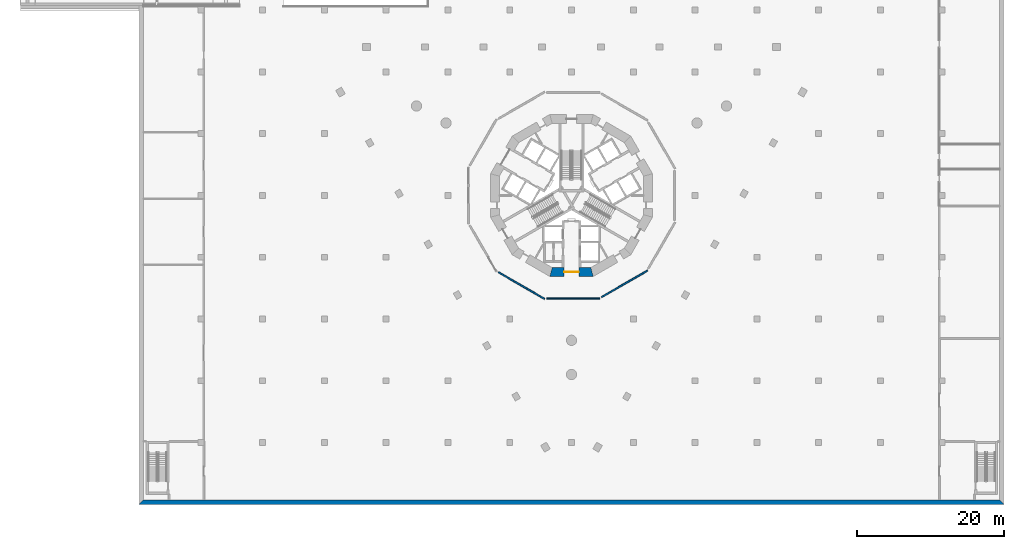
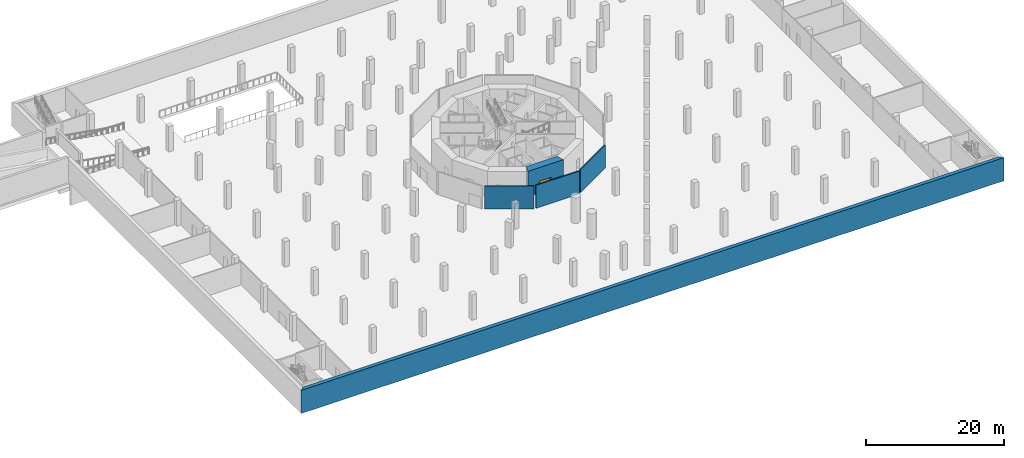
# One storey, part 4 of 21: 5 walls, 1 door, 1 opening.
"""IFC4 building model written with IfcOpenShell, lengths in metres."""

from ifc_helpers import new_model, si_unit, direction, frame, frame_2d, origin, place, context, subcontext, project, spatial, polyline, rectangle, outline, extrude, material, layer, layer_set, type_object, element, fill, save


model = new_model("IFC4")

# Units and contexts
model_context = context("Model", 3, precision=1e-05, world=origin(), true_north=direction((0.0, 1.0)))
body_context = subcontext(model_context, "Body", "Model", "MODEL_VIEW")
ifc_project = project(units=[si_unit("LENGTHUNIT", "METRE"), si_unit("AREAUNIT", "SQUARE_METRE"), si_unit("VOLUMEUNIT", "CUBIC_METRE"), si_unit("PLANEANGLEUNIT", "RADIAN"), si_unit("MASSUNIT", "GRAM", prefix="KILO")], contexts=[model_context])

# Site, building, storey
site_placement = place(None, origin())
site = spatial("IfcSite", under=ifc_project, at=site_placement, CompositionType="ELEMENT")
building_placement = place(site_placement, origin())
building = spatial("IfcBuilding", under=site, at=building_placement, Name="Trine Commons Tower", CompositionType="ELEMENT")
storey_placement = place(building_placement, frame((0.0, 0.0, -4.5)))
storey = spatial("IfcBuildingStorey", under=building, at=storey_placement, Name="B1", CompositionType="ELEMENT", Elevation=-4.5)

# Walls
ifc_material_1 = material(Name="Plasterboard on steel stud", Category="steel")
ifc_layer_1 = layer(ifc_material_1, 0.199951171875)
ifc_layer_set_1 = layer_set([ifc_layer_1], Name="Plasterboard on steel stud")
wall_type_1 = type_object("IfcWallType", Name="Fire wall 200 mm, EI 120", PredefinedType="PARTITIONING", material=ifc_layer_set_1)
for number, where, z_axis, x_axis, name in (
    (1, (70.06591796875, 52.05615234375, 0.0), (0.0, 0.0, 1.0), (0.866037813005, -0.499978505984, 0.0), "Partition B1014"),
    (2, (76.618896484375, 48.488525390625, 0.0), (0.0, 0.0, 1.0), (1.0, 0.0, 0.0), "Partition B1016"),
):
    element("IfcWall", number, at=place(storey_placement, frame(where, z_axis=z_axis, x_axis=x_axis)), inside=storey, type_object=wall_type_1, Name=name, PredefinedType="PARTITIONING", context=body_context, shape_type="SweptSolid", body=[
        extrude(rectangle(XDim=7.235595703125, YDim=0.199951171875, at=frame_2d((3.61767578125, 0.0))), origin(), (0.0, 0.0, 1.0), 4.050048828125),
    ])
wall_1_placement = place(storey_placement, frame((84.07763671875, 48.675048828125, 0.0), z_axis=(0.0, 0.0, 1.0), x_axis=(0.866029378036, 0.499993116331, 0.0)))
element("IfcWall", 3, at=wall_1_placement, inside=storey, type_object=wall_type_1, Name="Partition B1018", PredefinedType="PARTITIONING", context=body_context, shape_type="SweptSolid", body=[
    extrude(rectangle(XDim=7.2353515625, YDim=0.199951171875, at=frame_2d((3.61767578125, 0.0))), origin(), (0.0, 0.0, 1.0), 4.050048828125),
])
ifc_material_2 = material(Name="Concrete C40/50", Category="concrete")
ifc_layer_2 = layer(ifc_material_2, 0.60009765625)
ifc_layer_set_2 = layer_set([ifc_layer_2], Name="Concrete C40/50")
wall_type_2 = type_object("IfcWallType", Name="RC retaining wall 600 mm, C40/50", PredefinedType="SOLIDWALL", material=ifc_layer_set_2)
wall_2_placement = place(storey_placement, frame((21.5, 20.800048828125, 0.0), z_axis=(0.0, 0.0, 1.0), x_axis=(1.0, 0.0, 0.0)))
element("IfcWall", 4, at=wall_2_placement, inside=storey, type_object=wall_type_2, Name="Retaining wall B1 S", PredefinedType="SOLIDWALL", context=body_context, shape_type="SweptSolid", body=[
    extrude(outline(polyline([(-0.300048828125, -0.300048828125), (117.300048828125, -0.300048828125), (116.699951171875, 0.300048828125), (0.300048828125, 0.300048828125), (-0.300048828125, -0.300048828125)])), origin(), (0.0, 0.0, 1.0), 4.10009765625),
])

# Wall, opening, door
ifc_material_3 = material(Name="Concrete C80/95", Category="concrete")
ifc_layer_3 = layer(ifc_material_3, 1.199951171875)
ifc_layer_set_3 = layer_set([ifc_layer_3], Name="Concrete C80/95")
wall_type_3 = type_object("IfcWallType", Name="RC shear wall 1200 mm, C80/95", PredefinedType="SHEAR", material=ifc_layer_set_3)
wall_3_placement = place(storey_placement, frame((77.049560546875, 52.08837890625, 0.0), z_axis=(0.0, 0.0, 1.0), x_axis=(1.0, 0.0, 0.0)))
wall_3 = element("IfcWall", 5, at=wall_3_placement, inside=storey, type_object=wall_type_3, Name="Core wall CWA-10 B1", PredefinedType="SHEAR", context=body_context, shape_type="SweptSolid", body=[
    extrude(outline(polyline([(0.0, -0.60009765625), (5.90087890625, -0.60009765625), (5.57958984375, 0.60009765625), (0.321533203125, 0.60009765625), (0.0, -0.60009765625)])), origin(), (0.0, 0.0, 1.0), 4.5),
])
opening_placement = place(wall_3_placement, frame((1.950439453125, 0.0, 0.0)))
opening = element("IfcOpeningElement", 6, at=opening_placement, cuts=wall_3, Name="Opening K02.08", PredefinedType="OPENING", context=body_context, shape_type="SweptSolid", body=[
    extrude(rectangle(XDim=2.0, YDim=2.10009765625, at=frame_2d((1.0, 1.050048828125))), frame((0.0, 0.60986328125, 0.0), z_axis=(0.0, -1.0, 0.0), x_axis=(1.0, 0.0, 0.0)), (0.0, 0.0, 1.0), 1.219970703125),
])
ifc_material_4 = material(Name="Steel door leaves, fire-rated", Category="steel")
door_type = type_object("IfcDoorType", Name="Lobby door, double leaf 2000 x 2100, FD60", OperationType="DOUBLE_DOOR_SINGLE_SWING", PredefinedType="DOOR", material=ifc_material_4)
door_placement = place(opening_placement, origin())
door = element("IfcDoor", 7, at=door_placement, inside=storey, type_object=door_type, Name="Lobby door, Service and firefighting lobby B1", OperationType="DOUBLE_DOOR_SINGLE_SWING", OverallHeight=2.10009765625, OverallWidth=2.0, PredefinedType="DOOR", context=body_context, shape_type="SweptSolid", body=[
    extrude(rectangle(XDim=2.0, YDim=2.10009765625, at=frame_2d((1.0, 1.050048828125))), frame((0.0, 0.02490234375, 0.0), z_axis=(0.0, -1.0, 0.0), x_axis=(1.0, 0.0, 0.0)), (0.0, 0.0, 1.0), 0.050048828125),
])
fill(opening, door)

save(model, "model.ifc")
